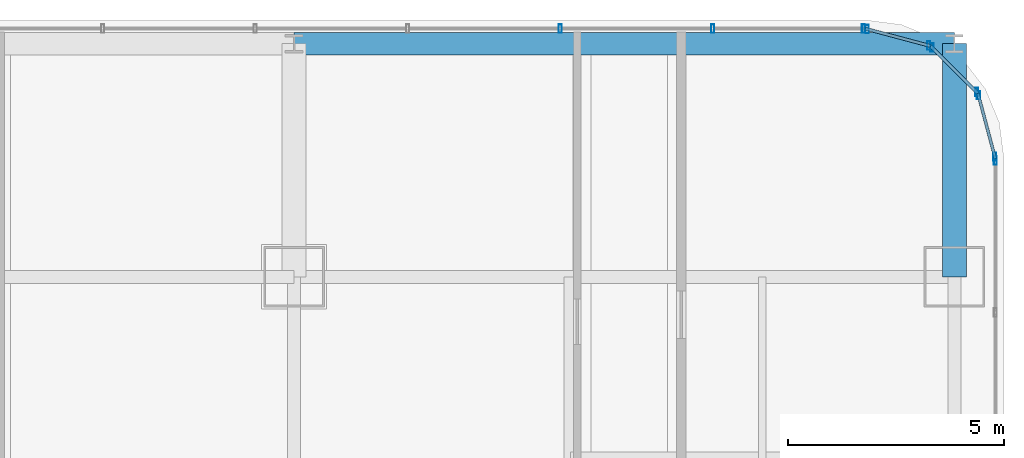
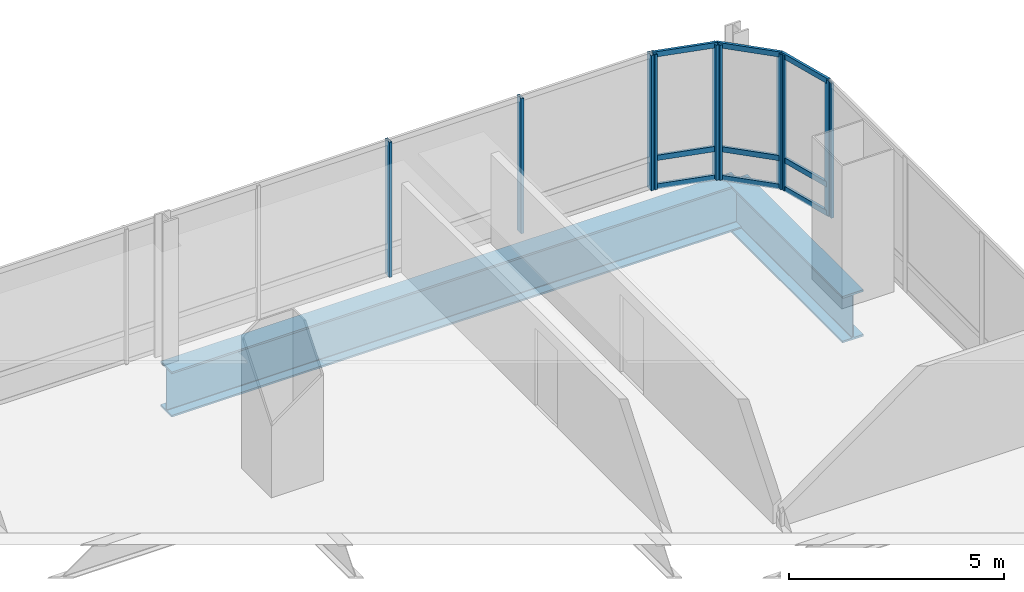
# One storey, part 27 of 38: 19 members, 2 beams, 5 elements without a shape of their own.
"""IFC4 building model written with IfcOpenShell, lengths in metres."""

from ifc_helpers import new_model, si_unit, direction, frame, origin, origin_2d, place, context, subcontext, project, spatial, hollow_rectangle, i_section, extrude, material, material_profile, profile_set, type_object, element, aggregate, save


model = new_model("IFC4")

# Units and contexts
model_context = context("Model", 3, precision=1e-05, world=origin(), true_north=direction((0.0, 1.0)))
body_context = subcontext(model_context, "Body", "Model", "MODEL_VIEW")
ifc_project = project(units=[si_unit("LENGTHUNIT", "METRE"), si_unit("AREAUNIT", "SQUARE_METRE"), si_unit("VOLUMEUNIT", "CUBIC_METRE"), si_unit("PLANEANGLEUNIT", "RADIAN"), si_unit("MASSUNIT", "GRAM", prefix="KILO")], contexts=[model_context])

# Site, building, storey
site_placement = place(None, origin())
site = spatial("IfcSite", under=ifc_project, at=site_placement, CompositionType="ELEMENT")
building_placement = place(site_placement, origin())
building = spatial("IfcBuilding", under=site, at=building_placement, Name="Punatoya Terracotta Tower", CompositionType="ELEMENT")
storey_placement = place(building_placement, frame((0.0, 0.0, 151.949951171875)))
storey = spatial("IfcBuildingStorey", under=building, at=storey_placement, Name="L35", CompositionType="ELEMENT", Elevation=151.949951171875)

# Beams
ifc_material_1 = material(Name="Steel S460", Category="steel")
ifc_material_profile_1 = material_profile(ifc_material_1, i_section(OverallWidth=0.56005859375, OverallDepth=1.320068359375, WebThickness=0.035888671875, FlangeThickness=0.054931640625, FilletRadius=0.01806640625, at=origin_2d()))
ifc_profile_set_1 = profile_set([ifc_material_profile_1], Name="Steel S460")
beam_type_1 = type_object("IfcBeamType", Name="BM-TG-BLK", PredefinedType="BEAM", material=ifc_profile_set_1)
beam_1_placement = place(storey_placement, frame((19.10009765625, 17.5, -0.8798828125), z_axis=(0.0, 1.0, 0.0), x_axis=(-1.0, 0.0, 0.0)))
element("IfcBeam", 1, at=beam_1_placement, inside=storey, type_object=beam_type_1, Name="BM-L35-CANT-N4", PredefinedType="BEAM", context=body_context, shape_type="SweptSolid", body=[
    extrude(i_section(OverallWidth=0.56005859375, OverallDepth=1.320068359375, WebThickness=0.035888671875, FlangeThickness=0.054931640625, FilletRadius=0.01806640625, at=origin_2d()), origin(), (0.0, 0.0, 1.0), 5.39990234375),
])
ifc_material_profile_2 = material_profile(ifc_material_1, i_section(OverallWidth=0.52001953125, OverallDepth=1.280029296875, WebThickness=0.031982421875, FlangeThickness=0.050048828125, FilletRadius=0.01806640625, at=origin_2d()))
ifc_profile_set_2 = profile_set([ifc_material_profile_2], Name="Steel S460")
beam_type_2 = type_object("IfcBeamType", Name="BM-TG-NCK", PredefinedType="BEAM", material=ifc_profile_set_2)
beam_2_placement = place(storey_placement, frame((3.800048828125, 22.89990234375, -0.85986328125), z_axis=(1.0, 0.0, 0.0), x_axis=(0.0, 1.0, 0.0)))
element("IfcBeam", 2, at=beam_2_placement, inside=storey, type_object=beam_type_2, Name="BM-L35-PER-N3", PredefinedType="BEAM", context=body_context, shape_type="SweptSolid", body=[
    extrude(i_section(OverallWidth=0.52001953125, OverallDepth=1.280029296875, WebThickness=0.031982421875, FlangeThickness=0.050048828125, FilletRadius=0.01806640625, at=origin_2d()), origin(), (0.0, 0.0, 1.0), 15.300048828125),
])

# Curtain wall, member
ifc_material_2 = material(Name="Aluminium 6063-T6 + Double Low-E Glass", Category="aluminium")
curtain_wall_type = type_object("IfcCurtainWallType", Name="CW-M2", PredefinedType="NOTDEFINED", material=ifc_material_2)
curtain_wall_1_placement = place(storey_placement, origin())
curtain_wall_1 = element("IfcCurtainWall", 3, at=curtain_wall_1_placement, inside=storey, type_object=curtain_wall_type, Name="L35 Curtain Wall CW-L35-E05-1", PredefinedType="NOTDEFINED")
ifc_material_3 = material(Name="Aluminium 6063-T6", Category="aluminium")
ifc_material_profile_3 = material_profile(ifc_material_3, hollow_rectangle(XDim=0.072021484375, YDim=0.195068359375, WallThickness=0.00439453125, at=origin_2d()))
ifc_profile_set_3 = profile_set([ifc_material_profile_3], Name="Aluminium 6063-T6")
member_type_1 = type_object("IfcMemberType", Name="CW-MUL-M2", PredefinedType="MULLION", material=ifc_profile_set_3)
member_1_placement = place(storey_placement, frame((20.050048828125, 20.19189453125, 0.0), z_axis=(0.0, 0.0, 1.0), x_axis=(1.0, 0.0, 0.0)))
member_1 = element("IfcMember", 4, at=member_1_placement, type_object=member_type_1, Name="CW-L35-E05-1 Mullion 10", PredefinedType="MULLION", context=body_context, shape_type="SweptSolid", body=[
    extrude(hollow_rectangle(XDim=0.072021484375, YDim=0.195068359375, WallThickness=0.00439453125, at=origin_2d()), origin(), (0.0, 0.0, 1.0), 3.830078125),
])
aggregate(curtain_wall_1, [member_1])

# Curtain wall, members
curtain_wall_2_placement = place(storey_placement, origin())
curtain_wall_2 = element("IfcCurtainWall", 5, at=curtain_wall_2_placement, inside=storey, type_object=curtain_wall_type, Name="L35 Curtain Wall CW-L35-CRN06", PredefinedType="NOTDEFINED")
member_2_placement = place(storey_placement, frame((20.038330078125, 20.280517578125, 0.0), z_axis=(0.0, 0.0, 1.0), x_axis=(1.0, 0.0, 0.0)))
member_2 = element("IfcMember", 6, at=member_2_placement, type_object=member_type_1, Name="CW-L35-CRN06 Mullion 00", PredefinedType="MULLION", context=body_context, shape_type="SweptSolid", body=[
    extrude(hollow_rectangle(XDim=0.072021484375, YDim=0.195068359375, WallThickness=0.00439453125, at=origin_2d()), origin(), (0.0, 0.0, 1.0), 3.830078125),
])
member_3_placement = place(storey_placement, frame((19.658203125, 21.70556640625, 0.0), z_axis=(0.0, 0.0, 1.0), x_axis=(1.0, 0.0, 0.0)))
member_3 = element("IfcMember", 7, at=member_3_placement, type_object=member_type_1, Name="CW-L35-CRN06 Mullion 01", PredefinedType="MULLION", context=body_context, shape_type="SweptSolid", body=[
    extrude(hollow_rectangle(XDim=0.072021484375, YDim=0.195068359375, WallThickness=0.00439453125, at=origin_2d()), origin(), (0.0, 0.0, 1.0), 3.830078125),
])

curtain_wall_3_placement = place(storey_placement, origin())
curtain_wall_3 = element("IfcCurtainWall", 8, at=curtain_wall_3_placement, inside=storey, type_object=curtain_wall_type, Name="L35 Curtain Wall CW-L35-CRN07", PredefinedType="NOTDEFINED")
member_4_placement = place(storey_placement, frame((19.61474609375, 21.781005859375, 0.0), z_axis=(0.0, 0.0, 1.0), x_axis=(1.0, 0.0, 0.0)))
member_4 = element("IfcMember", 9, at=member_4_placement, type_object=member_type_1, Name="CW-L35-CRN07 Mullion 00", PredefinedType="MULLION", context=body_context, shape_type="SweptSolid", body=[
    extrude(hollow_rectangle(XDim=0.072021484375, YDim=0.195068359375, WallThickness=0.00439453125, at=origin_2d()), origin(), (0.0, 0.0, 1.0), 3.830078125),
])
member_5_placement = place(storey_placement, frame((18.580810546875, 22.814697265625, 0.0), z_axis=(0.0, 0.0, 1.0), x_axis=(1.0, 0.0, 0.0)))
member_5 = element("IfcMember", 10, at=member_5_placement, type_object=member_type_1, Name="CW-L35-CRN07 Mullion 01", PredefinedType="MULLION", context=body_context, shape_type="SweptSolid", body=[
    extrude(hollow_rectangle(XDim=0.072021484375, YDim=0.195068359375, WallThickness=0.00439453125, at=origin_2d()), origin(), (0.0, 0.0, 1.0), 3.830078125),
])

curtain_wall_4_placement = place(storey_placement, origin())
curtain_wall_4 = element("IfcCurtainWall", 11, at=curtain_wall_4_placement, inside=storey, type_object=curtain_wall_type, Name="L35 Curtain Wall CW-L35-CRN08", PredefinedType="NOTDEFINED")
member_6_placement = place(storey_placement, frame((18.505615234375, 22.858154296875, 0.0), z_axis=(0.0, 0.0, 1.0), x_axis=(1.0, 0.0, 0.0)))
member_6 = element("IfcMember", 12, at=member_6_placement, type_object=member_type_1, Name="CW-L35-CRN08 Mullion 00", PredefinedType="MULLION", context=body_context, shape_type="SweptSolid", body=[
    extrude(hollow_rectangle(XDim=0.072021484375, YDim=0.195068359375, WallThickness=0.00439453125, at=origin_2d()), origin(), (0.0, 0.0, 1.0), 3.830078125),
])
member_7_placement = place(storey_placement, frame((17.080322265625, 23.23828125, 0.0), z_axis=(0.0, 0.0, 1.0), x_axis=(1.0, 0.0, 0.0)))
member_7 = element("IfcMember", 13, at=member_7_placement, type_object=member_type_1, Name="CW-L35-CRN08 Mullion 01", PredefinedType="MULLION", context=body_context, shape_type="SweptSolid", body=[
    extrude(hollow_rectangle(XDim=0.072021484375, YDim=0.195068359375, WallThickness=0.00439453125, at=origin_2d()), origin(), (0.0, 0.0, 1.0), 3.830078125),
])

curtain_wall_5_placement = place(storey_placement, origin())
curtain_wall_5 = element("IfcCurtainWall", 14, at=curtain_wall_5_placement, inside=storey, type_object=curtain_wall_type, Name="L35 Curtain Wall CW-L35-N09-1", PredefinedType="NOTDEFINED")
member_8_placement = place(storey_placement, frame((16.991943359375, 23.25, 0.0), z_axis=(0.0, 0.0, 1.0), x_axis=(1.0, 0.0, 0.0)))
member_8 = element("IfcMember", 15, at=member_8_placement, type_object=member_type_1, Name="CW-L35-N09-1 Mullion 00", PredefinedType="MULLION", context=body_context, shape_type="SweptSolid", body=[
    extrude(hollow_rectangle(XDim=0.072021484375, YDim=0.195068359375, WallThickness=0.00439453125, at=origin_2d()), origin(), (0.0, 0.0, 1.0), 3.830078125),
])
member_9_placement = place(storey_placement, frame((13.5029296875, 23.25, 0.0), z_axis=(0.0, 0.0, 1.0), x_axis=(1.0, 0.0, 0.0)))
member_9 = element("IfcMember", 16, at=member_9_placement, type_object=member_type_1, Name="CW-L35-N09-1 Mullion 01", PredefinedType="MULLION", context=body_context, shape_type="SweptSolid", body=[
    extrude(hollow_rectangle(XDim=0.072021484375, YDim=0.195068359375, WallThickness=0.00439453125, at=origin_2d()), origin(), (0.0, 0.0, 1.0), 3.830078125),
])
member_10_placement = place(storey_placement, frame((9.968994140625, 23.25, 0.0), z_axis=(0.0, 0.0, 1.0), x_axis=(1.0, 0.0, 0.0)))
member_10 = element("IfcMember", 17, at=member_10_placement, type_object=member_type_1, Name="CW-L35-N09-1 Mullion 02", PredefinedType="MULLION", context=body_context, shape_type="SweptSolid", body=[
    extrude(hollow_rectangle(XDim=0.072021484375, YDim=0.195068359375, WallThickness=0.00439453125, at=origin_2d()), origin(), (0.0, 0.0, 1.0), 3.830078125),
])
aggregate(curtain_wall_5, [member_8, member_9, member_10])

# Member
ifc_material_profile_4 = material_profile(ifc_material_3, hollow_rectangle(XDim=0.068115234375, YDim=0.14990234375, WallThickness=0.00390625, at=origin_2d()))
ifc_profile_set_4 = profile_set([ifc_material_profile_4], Name="Aluminium 6063-T6")
member_type_2 = type_object("IfcMemberType", Name="CW-TRN-TYP", PredefinedType="USERDEFINED", material=ifc_profile_set_4)
member_11_placement = place(storey_placement, frame((20.050048828125, 20.23681640625, 0.0400390625), z_axis=(-0.257847112249, 0.966185730957, 0.0), x_axis=(-0.966185730957, -0.257847112249, 0.0)))
member_11 = element("IfcMember", 18, at=member_11_placement, type_object=member_type_2, Name="CW-L35-CRN06 Transom 1", ObjectType="TRANSOM", PredefinedType="USERDEFINED", context=body_context, shape_type="SweptSolid", body=[
    extrude(hollow_rectangle(XDim=0.068115234375, YDim=0.14990234375, WallThickness=0.00390625, at=origin_2d()), origin(), (0.0, 0.0, 1.0), 1.565185546875),
])

member_12_placement = place(storey_placement, frame((20.050048828125, 20.23681640625, 0.85009765625), z_axis=(-0.257847112249, 0.966185730957, 0.0), x_axis=(-0.966185730957, -0.257847112249, 0.0)))
member_12 = element("IfcMember", 19, at=member_12_placement, type_object=member_type_2, Name="CW-L35-CRN06 Transom 2", ObjectType="TRANSOM", PredefinedType="USERDEFINED", context=body_context, shape_type="SweptSolid", body=[
    extrude(hollow_rectangle(XDim=0.068115234375, YDim=0.14990234375, WallThickness=0.00390625, at=origin_2d()), origin(), (0.0, 0.0, 1.0), 1.565185546875),
])

member_13_placement = place(storey_placement, frame((20.050048828125, 20.23681640625, 3.7900390625), z_axis=(-0.257847112249, 0.966185730957, 0.0), x_axis=(-0.966185730957, -0.257847112249, 0.0)))
member_13 = element("IfcMember", 20, at=member_13_placement, type_object=member_type_2, Name="CW-L35-CRN06 Transom 3", ObjectType="TRANSOM", PredefinedType="USERDEFINED", context=body_context, shape_type="SweptSolid", body=[
    extrude(hollow_rectangle(XDim=0.068115234375, YDim=0.14990234375, WallThickness=0.00390625, at=origin_2d()), origin(), (0.0, 0.0, 1.0), 1.565185546875),
])

aggregate(curtain_wall_2, [member_2, member_3, member_11, member_12, member_13])

member_14_placement = place(storey_placement, frame((19.646484375, 21.7490234375, 0.0400390625), z_axis=(-0.707028130747, 0.707185422879, 0.0), x_axis=(-0.707185422879, -0.707028130747, 0.0)))
member_14 = element("IfcMember", 21, at=member_14_placement, type_object=member_type_2, Name="CW-L35-CRN07 Transom 1", ObjectType="TRANSOM", PredefinedType="USERDEFINED", context=body_context, shape_type="SweptSolid", body=[
    extrude(hollow_rectangle(XDim=0.068115234375, YDim=0.14990234375, WallThickness=0.00390625, at=origin_2d()), origin(), (0.0, 0.0, 1.0), 1.55224609375),
])

member_15_placement = place(storey_placement, frame((19.646484375, 21.7490234375, 0.85009765625), z_axis=(-0.707028130747, 0.707185422879, 0.0), x_axis=(-0.707185422879, -0.707028130747, 0.0)))
member_15 = element("IfcMember", 22, at=member_15_placement, type_object=member_type_2, Name="CW-L35-CRN07 Transom 2", ObjectType="TRANSOM", PredefinedType="USERDEFINED", context=body_context, shape_type="SweptSolid", body=[
    extrude(hollow_rectangle(XDim=0.068115234375, YDim=0.14990234375, WallThickness=0.00390625, at=origin_2d()), origin(), (0.0, 0.0, 1.0), 1.55224609375),
])

member_16_placement = place(storey_placement, frame((19.646484375, 21.7490234375, 3.7900390625), z_axis=(-0.707028130747, 0.707185422879, 0.0), x_axis=(-0.707185422879, -0.707028130747, 0.0)))
member_16 = element("IfcMember", 23, at=member_16_placement, type_object=member_type_2, Name="CW-L35-CRN07 Transom 3", ObjectType="TRANSOM", PredefinedType="USERDEFINED", context=body_context, shape_type="SweptSolid", body=[
    extrude(hollow_rectangle(XDim=0.068115234375, YDim=0.14990234375, WallThickness=0.00390625, at=origin_2d()), origin(), (0.0, 0.0, 1.0), 1.55224609375),
])

aggregate(curtain_wall_3, [member_4, member_5, member_14, member_15, member_16])

member_17_placement = place(storey_placement, frame((18.549072265625, 22.8466796875, 0.0400390625), z_axis=(-0.966224582397, 0.257701486942, 0.0), x_axis=(-0.257701486942, -0.966224582397, 0.0)))
member_17 = element("IfcMember", 24, at=member_17_placement, type_object=member_type_2, Name="CW-L35-CRN08 Transom 1", ObjectType="TRANSOM", PredefinedType="USERDEFINED", context=body_context, shape_type="SweptSolid", body=[
    extrude(hollow_rectangle(XDim=0.068115234375, YDim=0.14990234375, WallThickness=0.00390625, at=origin_2d()), origin(), (0.0, 0.0, 1.0), 1.565185546875),
])

member_18_placement = place(storey_placement, frame((18.549072265625, 22.8466796875, 0.85009765625), z_axis=(-0.966224582397, 0.257701486942, 0.0), x_axis=(-0.257701486942, -0.966224582397, 0.0)))
member_18 = element("IfcMember", 25, at=member_18_placement, type_object=member_type_2, Name="CW-L35-CRN08 Transom 2", ObjectType="TRANSOM", PredefinedType="USERDEFINED", context=body_context, shape_type="SweptSolid", body=[
    extrude(hollow_rectangle(XDim=0.068115234375, YDim=0.14990234375, WallThickness=0.00390625, at=origin_2d()), origin(), (0.0, 0.0, 1.0), 1.565185546875),
])

member_19_placement = place(storey_placement, frame((18.549072265625, 22.8466796875, 3.7900390625), z_axis=(-0.966224582397, 0.257701486942, 0.0), x_axis=(-0.257701486942, -0.966224582397, 0.0)))
member_19 = element("IfcMember", 26, at=member_19_placement, type_object=member_type_2, Name="CW-L35-CRN08 Transom 3", ObjectType="TRANSOM", PredefinedType="USERDEFINED", context=body_context, shape_type="SweptSolid", body=[
    extrude(hollow_rectangle(XDim=0.068115234375, YDim=0.14990234375, WallThickness=0.00390625, at=origin_2d()), origin(), (0.0, 0.0, 1.0), 1.565185546875),
])

aggregate(curtain_wall_4, [member_6, member_7, member_17, member_18, member_19])

save(model, "model.ifc")
